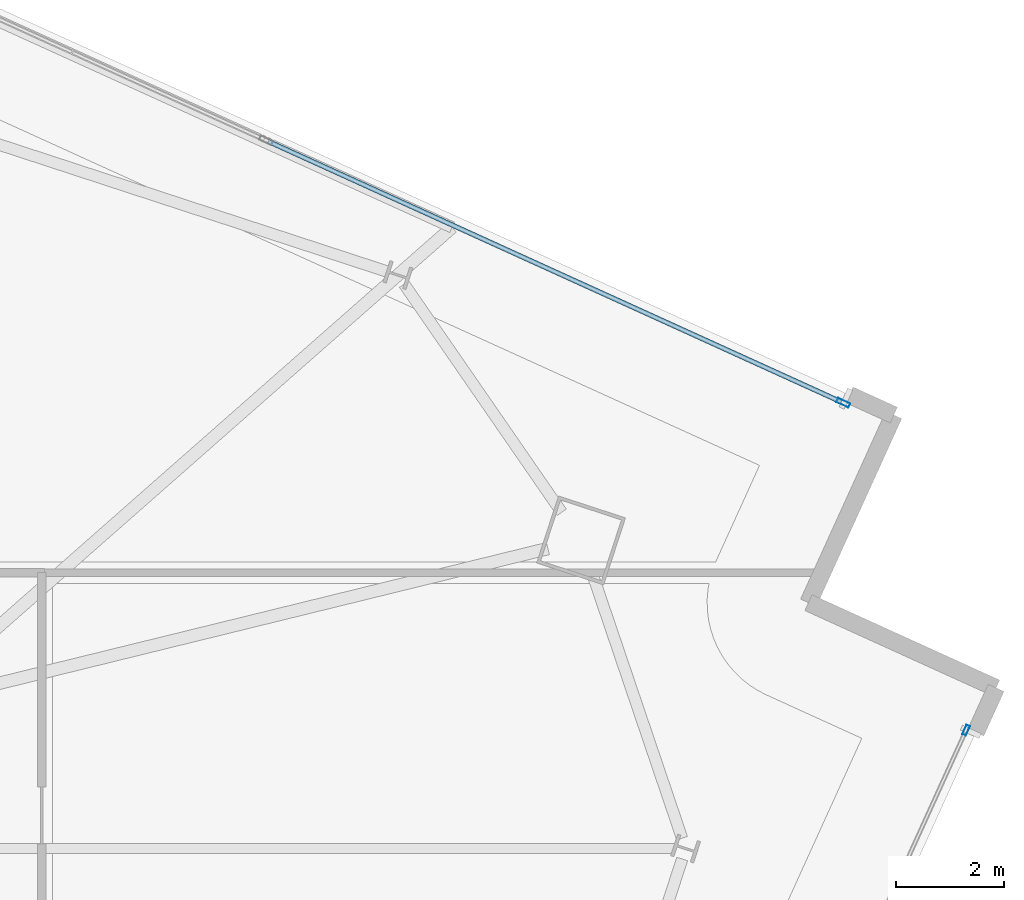
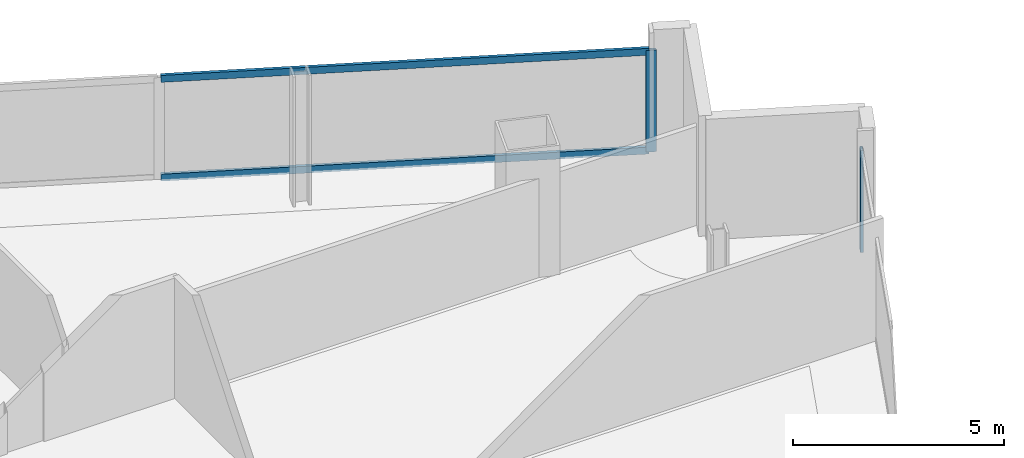
# One storey, part 16 of 26: 4 members, 2 elements without a shape of their own.
"""IFC4 building model written with IfcOpenShell, lengths in metres."""

from ifc_helpers import new_model, si_unit, direction, frame, origin, origin_2d, place, context, subcontext, project, spatial, hollow_rectangle, extrude, material, material_profile, profile_set, type_object, element, aggregate, save


model = new_model("IFC4")

# Units and contexts
model_context = context("Model", 3, precision=1e-05, world=origin(), true_north=direction((0.0, 1.0)))
body_context = subcontext(model_context, "Body", "Model", "MODEL_VIEW")
ifc_project = project(units=[si_unit("LENGTHUNIT", "METRE"), si_unit("AREAUNIT", "SQUARE_METRE"), si_unit("VOLUMEUNIT", "CUBIC_METRE"), si_unit("PLANEANGLEUNIT", "RADIAN"), si_unit("MASSUNIT", "GRAM", prefix="KILO")], contexts=[model_context])

# Site, building, storey
site_placement = place(None, origin())
site = spatial("IfcSite", under=ifc_project, at=site_placement, CompositionType="ELEMENT")
building_placement = place(site_placement, origin())
building = spatial("IfcBuilding", under=site, at=building_placement, Name="Haldenkirk Collegiate Tower", CompositionType="ELEMENT")
storey_placement = place(building_placement, frame((0.0, 0.0, 248.699951171875)))
storey = spatial("IfcBuildingStorey", under=building, at=storey_placement, Name="L62", CompositionType="ELEMENT", Elevation=248.699951171875)

# Curtain wall, member
ifc_material = material(Name="Anodised architectural bronze aluminium", Category="aluminium")
curtain_wall_type_1 = type_object("IfcCurtainWallType", Name="CW-SYS2-CONCAVE", PredefinedType="USERDEFINED", material=ifc_material)
curtain_wall_1_placement = place(storey_placement, origin())
curtain_wall_1 = element("IfcCurtainWall", 1, at=curtain_wall_1_placement, inside=storey, type_object=curtain_wall_type_1, Name="L62 South concave recessed bronze-anodised curtain wall", ObjectType="UNITISED CURTAIN WALL", PredefinedType="USERDEFINED")
ifc_material_profile_1 = material_profile(ifc_material, hollow_rectangle(XDim=0.074951171875, YDim=0.18994140625, WallThickness=0.0048828125, at=origin_2d()), Name="CW-MUL-02")
ifc_profile_set_1 = profile_set([ifc_material_profile_1], Name="Anodised architectural bronze aluminium")
member_type_1 = type_object("IfcMemberType", Name="CW-MUL-02", PredefinedType="MULLION", material=ifc_profile_set_1)
member_1_placement = place(storey_placement, frame((64.497802734375, 33.543701171875, 0.0), z_axis=(0.0, 0.0, 1.0), x_axis=(0.910323160651, -0.413898228049, 0.0)))
member_1 = element("IfcMember", 2, at=member_1_placement, type_object=member_type_1, Name="CW-02 mullion 1", PredefinedType="MULLION", context=body_context, shape_type="SweptSolid", body=[
    extrude(hollow_rectangle(XDim=0.074951171875, YDim=0.18994140625, WallThickness=0.0048828125, at=origin_2d()), origin(), (0.0, 0.0, 1.0), 2.93798828125),
])
aggregate(curtain_wall_1, [member_1])

# Curtain wall, members
curtain_wall_type_2 = type_object("IfcCurtainWallType", Name="CW-SYS1B-CONVEX-HI", PredefinedType="USERDEFINED", material=ifc_material)
curtain_wall_2_placement = place(storey_placement, origin())
curtain_wall_2 = element("IfcCurtainWall", 3, at=curtain_wall_2_placement, inside=storey, type_object=curtain_wall_type_2, Name="L62 Upper tower high-wind convex bronze unitised curtain wall", ObjectType="UNITISED CURTAIN WALL", PredefinedType="USERDEFINED")
ifc_material_profile_2 = material_profile(ifc_material, hollow_rectangle(XDim=0.0849609375, YDim=0.25, WallThickness=0.0048828125, at=origin_2d()), Name="CW-MUL-1B")
ifc_profile_set_2 = profile_set([ifc_material_profile_2], Name="Anodised architectural bronze aluminium")
member_type_2 = type_object("IfcMemberType", Name="CW-MUL-1B", PredefinedType="MULLION", material=ifc_profile_set_2)
member_2_placement = place(storey_placement, frame((62.23095703125, 39.580810546875, 0.0), z_axis=(0.0, 0.0, 1.0), x_axis=(0.413900972818, 0.910321912677, 0.0)))
member_2 = element("IfcMember", 4, at=member_2_placement, type_object=member_type_2, Name="CW-1B mullion 4", PredefinedType="MULLION", context=body_context, shape_type="SweptSolid", body=[
    extrude(hollow_rectangle(XDim=0.0849609375, YDim=0.25, WallThickness=0.0048828125, at=origin_2d()), origin(), (0.0, 0.0, 1.0), 2.93798828125),
])
ifc_material_profile_3 = material_profile(ifc_material, hollow_rectangle(XDim=0.0849609375, YDim=0.199951171875, WallThickness=0.0048828125, at=origin_2d()), Name="CW-TRN-1B")
ifc_profile_set_3 = profile_set([ifc_material_profile_3], Name="Anodised architectural bronze aluminium")
member_type_3 = type_object("IfcMemberType", Name="CW-TRN-1B", PredefinedType="USERDEFINED", material=ifc_profile_set_3)
member_3_placement = place(storey_placement, frame((51.627197265625, 44.402099609375, 0.04248046875), z_axis=(0.910318923961, -0.413907546052, 0.0), x_axis=(0.413907546052, 0.910318923961, 0.0)))
member_3 = element("IfcMember", 5, at=member_3_placement, type_object=member_type_3, Name="CW-1B transom 3.1", ObjectType="TRANSOM", PredefinedType="USERDEFINED", context=body_context, shape_type="SweptSolid", body=[
    extrude(hollow_rectangle(XDim=0.0849609375, YDim=0.199951171875, WallThickness=0.0048828125, at=origin_2d()), origin(), (0.0, 0.0, 1.0), 11.605712890625),
])
member_4_placement = place(storey_placement, frame((51.627197265625, 44.402099609375, 2.8955078125), z_axis=(0.910318923961, -0.413907546052, 0.0), x_axis=(0.413907546052, 0.910318923961, 0.0)))
member_4 = element("IfcMember", 6, at=member_4_placement, type_object=member_type_3, Name="CW-1B transom 3.2", ObjectType="TRANSOM", PredefinedType="USERDEFINED", context=body_context, shape_type="SweptSolid", body=[
    extrude(hollow_rectangle(XDim=0.0849609375, YDim=0.199951171875, WallThickness=0.0048828125, at=origin_2d()), origin(), (0.0, 0.0, 1.0), 11.605712890625),
])
aggregate(curtain_wall_2, [member_2, member_3, member_4])

save(model, "model.ifc")
